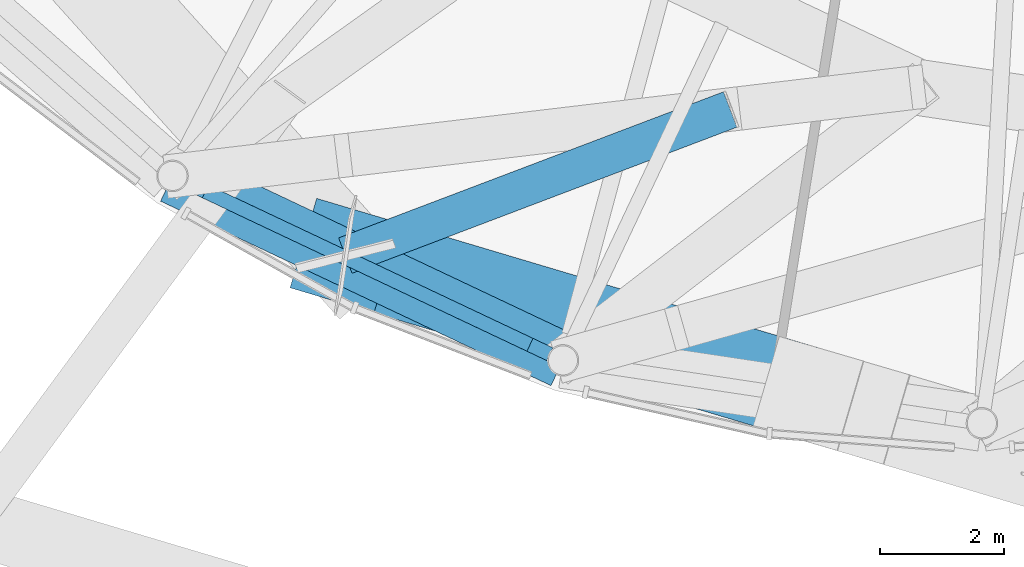
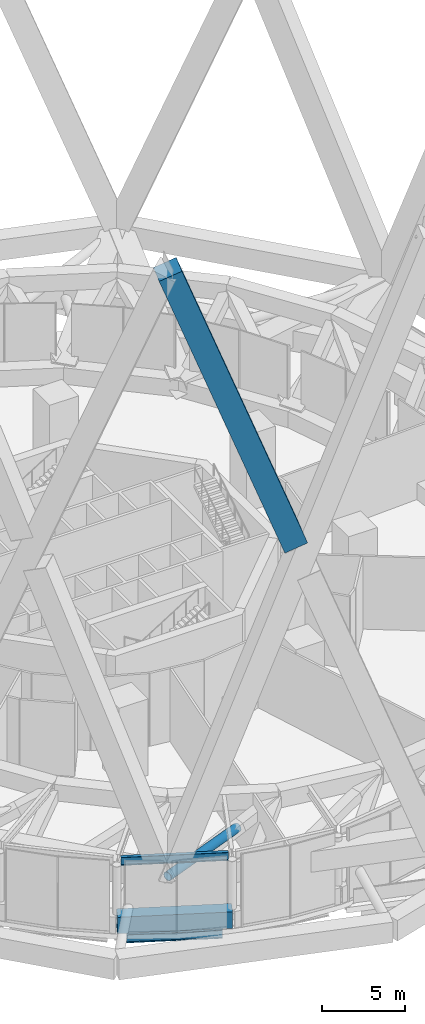
# One storey, part 5 of 49: 3 beams, 2 members.
"""IFC4 building model written with IfcOpenShell, lengths in metres."""

from ifc_helpers import new_model, si_unit, direction, frame, origin, origin_2d, place, context, subcontext, project, spatial, rectangle, hollow_rectangle, hollow_circle, i_section, extrude, material, material_profile, profile_set, type_object, element, save


model = new_model("IFC4")

# Units and contexts
model_context = context("Model", 3, precision=1e-05, world=origin(), true_north=direction((0.0, 1.0)))
body_context = subcontext(model_context, "Body", "Model", "MODEL_VIEW")
ifc_project = project(units=[si_unit("LENGTHUNIT", "METRE"), si_unit("AREAUNIT", "SQUARE_METRE"), si_unit("VOLUMEUNIT", "CUBIC_METRE"), si_unit("PLANEANGLEUNIT", "RADIAN"), si_unit("MASSUNIT", "GRAM", prefix="KILO")], contexts=[model_context])

# Site, building, storey
site_placement = place(None, origin())
site = spatial("IfcSite", under=ifc_project, at=site_placement, CompositionType="ELEMENT")
building_placement = place(site_placement, origin())
building = spatial("IfcBuilding", under=site, at=building_placement, Name="Nagisa Residences", CompositionType="ELEMENT")
storey_placement = place(building_placement, frame((0.0, 0.0, 160.300048828125)))
storey = spatial("IfcBuildingStorey", under=building, at=storey_placement, Name="L40", CompositionType="ELEMENT", Elevation=160.300048828125)

# Beam
ifc_material_1 = material(Name="Steel ASTM A572 Gr 50", Category="steel")
ifc_material_profile_1 = material_profile(ifc_material_1, hollow_rectangle(XDim=0.89990234375, YDim=1.199951171875, WallThickness=0.044921875, at=origin_2d()), Name="BX 900x1200x45")
ifc_profile_set_1 = profile_set([ifc_material_profile_1], Name="Steel ASTM A572 Gr 50")
beam_type_1 = type_object("IfcBeamType", Name="Belt chord 3 BX 900x1200x45", PredefinedType="BEAM", material=ifc_profile_set_1)
beam_1_placement = place(storey_placement, frame((-14.8173828125, -28.834228515625, 0.599853515625), z_axis=(0.904168316158, -0.427176375817, 0.0), x_axis=(0.427176375817, 0.904168316158, 0.0)))
element("IfcBeam", 1, at=beam_1_placement, inside=storey, type_object=beam_type_1, Name="beam:L40:bt3b17", PredefinedType="BEAM", context=body_context, shape_type="SweptSolid", body=[
    extrude(hollow_rectangle(XDim=0.89990234375, YDim=1.199951171875, WallThickness=0.044921875, at=origin_2d()), origin(), (0.0, 0.0, 1.0), 6.944580078125),
])

# Members
ifc_material_2 = material(Name="Concrete C80", Category="concrete")
ifc_material_profile_2 = material_profile(ifc_material_2, rectangle(XDim=1.5, YDim=1.5, at=origin_2d()), Name="C80 1500x1500")
ifc_profile_set_2 = profile_set([ifc_material_profile_2], Name="Concrete C80")
member_type_1 = type_object("IfcMemberType", Name="Cage diagonal 4 C80 1500x1500", PredefinedType="BRACE", material=ifc_profile_set_2)
member_1_placement = place(storey_placement, frame((-4.594970703125, -32.33349609375, 27.0205078125), z_axis=(-0.3299278727, 0.098301947441, 0.938873967019), x_axis=(-0.285544780584, -0.958365367843, 0.0)))
element("IfcMember", 2, at=member_1_placement, inside=storey, type_object=member_type_1, Name="mem:L40:cg4d018b", PredefinedType="BRACE", context=body_context, shape_type="SweptSolid", body=[
    extrude(rectangle(XDim=1.5, YDim=1.5, at=origin_2d()), origin(), (0.0, 0.0, 1.0), 22.558349609375),
])
ifc_material_3 = material(Name="Steel ASTM A572 Gr 65", Category="steel")
ifc_material_profile_3 = material_profile(ifc_material_3, hollow_circle(Radius=0.304931640625, WallThickness=0.02490234375, at=origin_2d()), Name="CHS 610x25")
ifc_profile_set_3 = profile_set([ifc_material_profile_3], Name="Steel ASTM A572 Gr 65")
member_type_2 = type_object("IfcMemberType", Name="Cage strut CHS 610x25", PredefinedType="STRUT", material=ifc_profile_set_3)
member_2_placement = place(storey_placement, frame((-12.03759765625, -30.115966796875, 3.699951171875), z_axis=(0.934916971711, 0.354866532666, 0.0), x_axis=(-0.354866532666, 0.934916971711, 0.0)))
element("IfcMember", 3, at=member_2_placement, inside=storey, type_object=member_type_2, Name="mem:L40:bt3st4b09", PredefinedType="STRUT", context=body_context, shape_type="SweptSolid", body=[
    extrude(hollow_circle(Radius=0.304931640625, WallThickness=0.02490234375, at=origin_2d()), origin(), (0.0, 0.0, 1.0), 6.62109375),
])

# Beams
ifc_material_4 = material(Name="Steel ASTM A572 Gr 50", Category="steel")
ifc_material_profile_4 = material_profile(ifc_material_4, i_section(OverallWidth=0.22802734375, OverallDepth=0.60302734375, WebThickness=0.010498046875, FlangeThickness=0.014892578125, at=origin_2d()), Name="W610x101")
ifc_profile_set_4 = profile_set([ifc_material_profile_4], Name="Steel ASTM A572 Gr 50")
beam_type_2 = type_object("IfcBeamType", Name="Garden edge beam W610x101", PredefinedType="BEAM", material=ifc_profile_set_4)
beam_2_placement = place(storey_placement, frame((-14.60595703125, -28.934326171875, 5.038330078125), z_axis=(0.904171813513, -0.427168973181, 0.0), x_axis=(0.427168973181, 0.904171813513, 0.0)))
element("IfcBeam", 4, at=beam_2_placement, inside=storey, type_object=beam_type_2, Name="beam:L40:bt3ge17", PredefinedType="BEAM", context=body_context, shape_type="SweptSolid", body=[
    extrude(i_section(OverallWidth=0.22802734375, OverallDepth=0.60302734375, WebThickness=0.010498046875, FlangeThickness=0.014892578125, at=origin_2d()), origin(), (0.0, 0.0, 1.0), 6.4765625),
])
ifc_material_5 = material(Name="Steel ASTM A572 Gr 50", Category="steel")
ifc_material_profile_5 = material_profile(ifc_material_5, i_section(OverallWidth=0.22802734375, OverallDepth=0.60302734375, WebThickness=0.010498046875, FlangeThickness=0.014892578125, at=origin_2d()), Name="W610x101")
ifc_profile_set_5 = profile_set([ifc_material_profile_5], Name="Steel ASTM A572 Gr 50")
beam_type_3 = type_object("IfcBeamType", Name="Perimeter ring beam W610x101", PredefinedType="BEAM", material=ifc_profile_set_5)
beam_3_placement = place(storey_placement, frame((-14.287841796875, -29.084716796875, -0.651611328125), z_axis=(0.904186034847, -0.427138870143, 0.0), x_axis=(0.427138870143, 0.904186034847, 0.0)))
element("IfcBeam", 5, at=beam_3_placement, inside=storey, type_object=beam_type_3, Name="beam:L40:pb17", PredefinedType="BEAM", context=body_context, shape_type="SweptSolid", body=[
    extrude(i_section(OverallWidth=0.22802734375, OverallDepth=0.60302734375, WebThickness=0.010498046875, FlangeThickness=0.014892578125, at=origin_2d()), origin(), (0.0, 0.0, 1.0), 5.772216796875),
])

save(model, "model.ifc")
